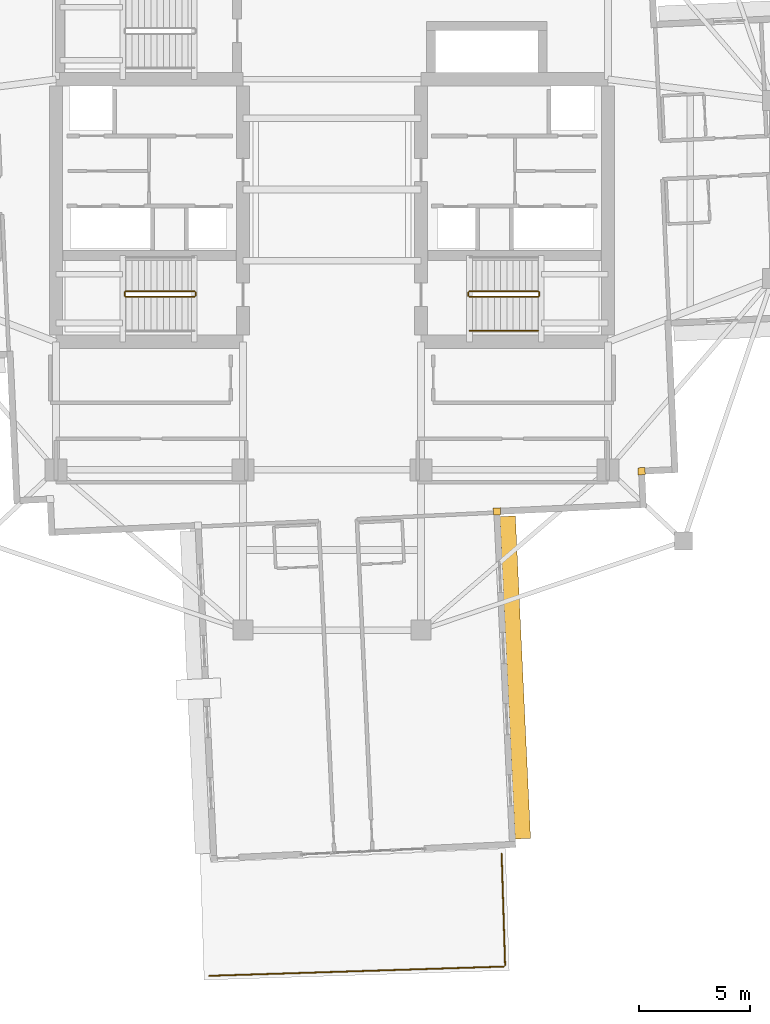
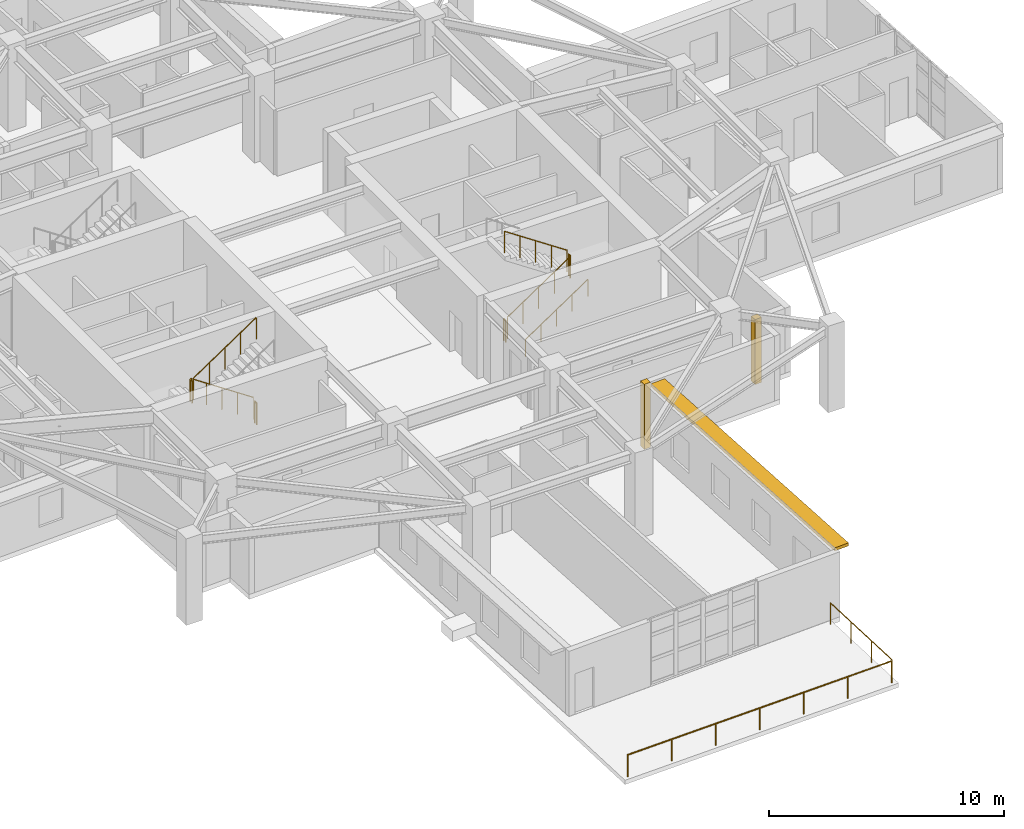
# One storey, part 19 of 22: 11 railings, 2 coverings, 1 shading device.
"""IFC4 building model written with IfcOpenShell, lengths in metres."""

from ifc_helpers import new_model, si_unit, direction, frame, origin, origin_2d, place, context, subcontext, project, spatial, rectangle, circle, extrude, material, layer, layer_set, type_object, element, save


model = new_model("IFC4")

# Units and contexts
model_context = context("Model", 3, precision=1e-05, world=origin(), true_north=direction((0.0, 1.0)))
body_context = subcontext(model_context, "Body", "Model", "MODEL_VIEW")
ifc_project = project(units=[si_unit("LENGTHUNIT", "METRE"), si_unit("AREAUNIT", "SQUARE_METRE"), si_unit("VOLUMEUNIT", "CUBIC_METRE"), si_unit("PLANEANGLEUNIT", "RADIAN"), si_unit("MASSUNIT", "GRAM", prefix="KILO")], contexts=[model_context])

# Site, building, storey
site_placement = place(None, origin())
site = spatial("IfcSite", under=ifc_project, at=site_placement, CompositionType="ELEMENT")
building_placement = place(site_placement, origin())
building = spatial("IfcBuilding", under=site, at=building_placement, Name="Qingluan Cross Belvedere", CompositionType="ELEMENT")
storey_placement = place(building_placement, frame((0.0, 0.0, 196.800048828125)))
storey = spatial("IfcBuildingStorey", under=building, at=storey_placement, Name="L49", CompositionType="ELEMENT", Elevation=196.800048828125)

# Coverings
ifc_material_1 = material(Name="Precast concrete C45", Category="concrete")
ifc_layer_1 = layer(ifc_material_1, 0.1201171875, Name="ConcreteSpandrelCladding_120")
ifc_layer_set_1 = layer_set([ifc_layer_1], Name="Precast concrete C45")
covering_type = type_object("IfcCoveringType", Name="ConcreteSpandrelCladding_120", PredefinedType="CLADDING", material=ifc_layer_set_1)
for number, where, z_axis, x_axis, name in (
    (1, (13.911865234375, -12.65869140625, 0.0), (0.0, 0.0, 1.0), (0.998889874962, 0.04710645071, 0.0), "Corner closure L49-SE1"),
    (2, (7.40966796875, -14.467041015625, 0.0), (0.0, 0.0, 1.0), (0.998889874962, 0.04710645071, 0.0), "Corner closure L49-SE2"),
):
    element("IfcCovering", number, at=place(storey_placement, frame(where, z_axis=z_axis, x_axis=x_axis)), inside=storey, type_object=covering_type, Name=name, PredefinedType="CLADDING", context=body_context, shape_type="SweptSolid", body=[
        extrude(rectangle(XDim=0.320068359375, YDim=0.320068359375, at=origin_2d()), origin(), (0.0, 0.0, 1.0), 3.3798828125),
    ])

# Shading device
ifc_material_2 = material(Name="Precast concrete C45", Category="concrete")
ifc_layer_2 = layer(ifc_material_2, 0.139892578125, Name="ConcreteSunshadeBand_700")
ifc_layer_set_2 = layer_set([ifc_layer_2], Name="Precast concrete C45")
shading_device_type = type_object("IfcShadingDeviceType", Name="ConcreteSunshadeBand_700", PredefinedType="USERDEFINED", material=ifc_layer_set_2)
shading_device_placement = place(storey_placement, frame((8.23193359375, -21.926513671875, 3.2001953125), z_axis=(0.0, 0.0, 1.0), x_axis=(-0.047109098032, 0.998889750114, 0.0)))
element("IfcShadingDevice", 3, at=shading_device_placement, inside=storey, type_object=shading_device_type, Name="Concrete SUNSHADE L49-SB", ObjectType="SUNSHADE", PredefinedType="USERDEFINED", context=body_context, shape_type="SweptSolid", body=[
    extrude(rectangle(XDim=14.5, YDim=0.699951171875, at=origin_2d()), origin(), (0.0, 0.0, 1.0), 0.159912109375),
])

# Railings
ifc_material_3 = material(Name="Brushed stainless steel tubular handrail", Category="steel")
railing_type_1 = type_object("IfcRailingType", Name="StairPitchHandrail_900", PredefinedType="HANDRAIL", material=ifc_material_3)
railing_1_placement = place(storey_placement, frame((6.179931640625, -6.35009765625, 0.1875)))
element("IfcRailing", 4, at=railing_1_placement, inside=storey, type_object=railing_type_1, Name="L49 ST2 stair handrail 1", PredefinedType="HANDRAIL", context=body_context, shape_type="SweptSolid", body=[
    extrude(circle(Radius=0.02392578125, at=origin_2d()), frame((0.0, 0.0, 0.8759765625), z_axis=(0.830913701846, 0.0, 0.55640131208), x_axis=(0.0, 1.0, 0.0)), (0.0, 0.0, 1.0), 3.706787109375),
    extrude(circle(Radius=0.02099609375, at=origin_2d()), origin(), (0.0, 0.0, 1.0), 0.851806640625),
    extrude(circle(Radius=0.02099609375, at=origin_2d()), frame((0.77001953125, 0.0, 0.515625)), (0.0, 0.0, 1.0), 0.851806640625),
    extrude(circle(Radius=0.02099609375, at=origin_2d()), frame((1.5400390625, 0.0, 1.03125)), (0.0, 0.0, 1.0), 0.851806640625),
    extrude(circle(Radius=0.02099609375, at=origin_2d()), frame((2.31005859375, 0.0, 1.546875)), (0.0, 0.0, 1.0), 0.851806640625),
    extrude(circle(Radius=0.02099609375, at=origin_2d()), frame((3.080078125, 0.0, 2.0625)), (0.0, 0.0, 1.0), 0.851806640625),
])
ifc_material_4 = material(Name="Painted steel stair well guard", Category="steel")
railing_type_2 = type_object("IfcRailingType", Name="StairWellGuard_1150", PredefinedType="BALUSTRADE", material=ifc_material_4)
railing_2_placement = place(storey_placement, frame((-6.179931640625, -4.570068359375, 0.1875)))
element("IfcRailing", 5, at=railing_2_placement, inside=storey, type_object=railing_type_2, Name="L49 ST1 stair guard 1", PredefinedType="BALUSTRADE", context=body_context, shape_type="SweptSolid", body=[
    extrude(circle(Radius=0.02392578125, at=origin_2d()), frame((0.0, 0.0, 1.1259765625), z_axis=(-0.830913701846, 0.0, 0.55640131208), x_axis=(0.0, -1.0, 0.0)), (0.0, 0.0, 1.0), 3.706787109375),
    extrude(circle(Radius=0.02099609375, at=origin_2d()), origin(), (0.0, 0.0, 1.0), 1.101806640625),
    extrude(circle(Radius=0.02099609375, at=origin_2d()), frame((-0.77001953125, 0.0, 0.515625)), (0.0, 0.0, 1.0), 1.101806640625),
    extrude(circle(Radius=0.02099609375, at=origin_2d()), frame((-1.5400390625, 0.0, 1.03125)), (0.0, 0.0, 1.0), 1.101806640625),
    extrude(circle(Radius=0.02099609375, at=origin_2d()), frame((-2.31005859375, 0.0, 1.546875)), (0.0, 0.0, 1.0), 1.101806640625),
    extrude(circle(Radius=0.02099609375, at=origin_2d()), frame((-3.080078125, 0.0, 2.0625)), (0.0, 0.0, 1.0), 1.101806640625),
])
railing_3_placement = place(storey_placement, frame((-9.31005859375, -4.6201171875, 2.25)))
element("IfcRailing", 6, at=railing_3_placement, inside=storey, type_object=railing_type_2, Name="L49 ST1 stair guard 2", PredefinedType="BALUSTRADE", context=body_context, shape_type="SweptSolid", body=[
    extrude(circle(Radius=0.02392578125, at=origin_2d()), frame((0.0, 0.0, 1.1259765625), z_axis=(0.0, -1.0, 0.0), x_axis=(1.0, 0.0, 0.0)), (0.0, 0.0, 1.0), 0.159912109375),
    extrude(circle(Radius=0.02099609375, at=origin_2d()), origin(), (0.0, 0.0, 1.0), 1.101806640625),
    extrude(circle(Radius=0.02099609375, at=origin_2d()), frame((0.0, -0.159912109375, 0.0)), (0.0, 0.0, 1.0), 1.101806640625),
])
railing_4_placement = place(storey_placement, frame((-9.260009765625, -4.830078125, 2.4375)))
element("IfcRailing", 7, at=railing_4_placement, inside=storey, type_object=railing_type_2, Name="L49 ST1 stair guard 3", PredefinedType="BALUSTRADE", context=body_context, shape_type="SweptSolid", body=[
    extrude(circle(Radius=0.02392578125, at=origin_2d()), frame((0.0, 0.0, 1.1259765625), z_axis=(0.830913701846, 0.0, 0.55640131208), x_axis=(0.0, 1.0, 0.0)), (0.0, 0.0, 1.0), 3.706787109375),
    extrude(circle(Radius=0.02099609375, at=origin_2d()), origin(), (0.0, 0.0, 1.0), 1.101806640625),
    extrude(circle(Radius=0.02099609375, at=origin_2d()), frame((0.77001953125, 0.0, 0.515625)), (0.0, 0.0, 1.0), 1.101806640625),
    extrude(circle(Radius=0.02099609375, at=origin_2d()), frame((1.5400390625, 0.0, 1.03125)), (0.0, 0.0, 1.0), 1.101806640625),
    extrude(circle(Radius=0.02099609375, at=origin_2d()), frame((2.31005859375, 0.0, 1.546875)), (0.0, 0.0, 1.0), 1.101806640625),
    extrude(circle(Radius=0.02099609375, at=origin_2d()), frame((3.080078125, 0.0, 2.0625)), (0.0, 0.0, 1.0), 1.101806640625),
])
railing_5_placement = place(storey_placement, frame((-6.1298828125, -4.6201171875, 0.0)))
element("IfcRailing", 8, at=railing_5_placement, inside=storey, type_object=railing_type_2, Name="L49 ST1 stair guard 4", PredefinedType="BALUSTRADE", context=body_context, shape_type="SweptSolid", body=[
    extrude(circle(Radius=0.02392578125, at=origin_2d()), frame((0.0, 0.0, 1.1259765625), z_axis=(0.0, -1.0, 0.0), x_axis=(1.0, 0.0, 0.0)), (0.0, 0.0, 1.0), 0.159912109375),
    extrude(circle(Radius=0.02099609375, at=origin_2d()), origin(), (0.0, 0.0, 1.0), 1.101806640625),
    extrude(circle(Radius=0.02099609375, at=origin_2d()), frame((0.0, -0.159912109375, 0.0)), (0.0, 0.0, 1.0), 1.101806640625),
])
railing_6_placement = place(storey_placement, frame((6.179931640625, -4.830078125, 0.1875)))
element("IfcRailing", 9, at=railing_6_placement, inside=storey, type_object=railing_type_2, Name="L49 ST2 stair guard 1", PredefinedType="BALUSTRADE", context=body_context, shape_type="SweptSolid", body=[
    extrude(circle(Radius=0.02392578125, at=origin_2d()), frame((0.0, 0.0, 1.1259765625), z_axis=(0.830913701846, 0.0, 0.55640131208), x_axis=(0.0, 1.0, 0.0)), (0.0, 0.0, 1.0), 3.706787109375),
    extrude(circle(Radius=0.02099609375, at=origin_2d()), origin(), (0.0, 0.0, 1.0), 1.101806640625),
    extrude(circle(Radius=0.02099609375, at=origin_2d()), frame((0.77001953125, 0.0, 0.515625)), (0.0, 0.0, 1.0), 1.101806640625),
    extrude(circle(Radius=0.02099609375, at=origin_2d()), frame((1.5400390625, 0.0, 1.03125)), (0.0, 0.0, 1.0), 1.101806640625),
    extrude(circle(Radius=0.02099609375, at=origin_2d()), frame((2.31005859375, 0.0, 1.546875)), (0.0, 0.0, 1.0), 1.101806640625),
    extrude(circle(Radius=0.02099609375, at=origin_2d()), frame((3.080078125, 0.0, 2.0625)), (0.0, 0.0, 1.0), 1.101806640625),
])
railing_7_placement = place(storey_placement, frame((9.31005859375, -4.780029296875, 2.25)))
element("IfcRailing", 10, at=railing_7_placement, inside=storey, type_object=railing_type_2, Name="L49 ST2 stair guard 2", PredefinedType="BALUSTRADE", context=body_context, shape_type="SweptSolid", body=[
    extrude(circle(Radius=0.02392578125, at=origin_2d()), frame((0.0, 0.0, 1.1259765625), z_axis=(0.0, 1.0, 0.0), x_axis=(-1.0, 0.0, 0.0)), (0.0, 0.0, 1.0), 0.159912109375),
    extrude(circle(Radius=0.02099609375, at=origin_2d()), origin(), (0.0, 0.0, 1.0), 1.101806640625),
    extrude(circle(Radius=0.02099609375, at=origin_2d()), frame((0.0, 0.159912109375, 0.0)), (0.0, 0.0, 1.0), 1.101806640625),
])
railing_8_placement = place(storey_placement, frame((9.260009765625, -4.570068359375, 2.4375)))
element("IfcRailing", 11, at=railing_8_placement, inside=storey, type_object=railing_type_2, Name="L49 ST2 stair guard 3", PredefinedType="BALUSTRADE", context=body_context, shape_type="SweptSolid", body=[
    extrude(circle(Radius=0.02392578125, at=origin_2d()), frame((0.0, 0.0, 1.1259765625), z_axis=(-0.830913701846, 0.0, 0.55640131208), x_axis=(0.0, -1.0, 0.0)), (0.0, 0.0, 1.0), 3.706787109375),
    extrude(circle(Radius=0.02099609375, at=origin_2d()), origin(), (0.0, 0.0, 1.0), 1.101806640625),
    extrude(circle(Radius=0.02099609375, at=origin_2d()), frame((-0.77001953125, 0.0, 0.515625)), (0.0, 0.0, 1.0), 1.101806640625),
    extrude(circle(Radius=0.02099609375, at=origin_2d()), frame((-1.5400390625, 0.0, 1.03125)), (0.0, 0.0, 1.0), 1.101806640625),
    extrude(circle(Radius=0.02099609375, at=origin_2d()), frame((-2.31005859375, 0.0, 1.546875)), (0.0, 0.0, 1.0), 1.101806640625),
    extrude(circle(Radius=0.02099609375, at=origin_2d()), frame((-3.080078125, 0.0, 2.0625)), (0.0, 0.0, 1.0), 1.101806640625),
])
railing_9_placement = place(storey_placement, frame((6.1298828125, -4.780029296875, 0.0)))
element("IfcRailing", 12, at=railing_9_placement, inside=storey, type_object=railing_type_2, Name="L49 ST2 stair guard 4", PredefinedType="BALUSTRADE", context=body_context, shape_type="SweptSolid", body=[
    extrude(circle(Radius=0.02392578125, at=origin_2d()), frame((0.0, 0.0, 1.1259765625), z_axis=(0.0, 1.0, 0.0), x_axis=(-1.0, 0.0, 0.0)), (0.0, 0.0, 1.0), 0.159912109375),
    extrude(circle(Radius=0.02099609375, at=origin_2d()), origin(), (0.0, 0.0, 1.0), 1.101806640625),
    extrude(circle(Radius=0.02099609375, at=origin_2d()), frame((0.0, 0.159912109375, 0.0)), (0.0, 0.0, 1.0), 1.101806640625),
])
ifc_material_5 = material(Name="Laminated glass and stainless steel balustrade", Category="steel")
railing_type_3 = type_object("IfcRailingType", Name="TerraceGuardBalustrade_1150", PredefinedType="BALUSTRADE", material=ifc_material_5)
railing_10_placement = place(storey_placement, frame((7.62158203125, -29.85400390625, 0.0)))
element("IfcRailing", 13, at=railing_10_placement, inside=storey, type_object=railing_type_3, Name="Terrace guard L49-1", PredefinedType="BALUSTRADE", context=body_context, shape_type="SweptSolid", body=[
    extrude(circle(Radius=0.02392578125, at=origin_2d()), frame((0.0, 0.0, 1.1259765625), z_axis=(0.031388677137, -0.999507254075, 0.0), x_axis=(0.999507254075, 0.031388677137, 0.0)), (0.0, 0.0, 1.0), 5.001220703125),
    extrude(circle(Radius=0.02099609375, at=origin_2d()), origin(), (0.0, 0.0, 1.0), 1.101806640625),
    extrude(circle(Radius=0.02099609375, at=origin_2d()), frame((0.05224609375, -1.666259765625, 0.0)), (0.0, 0.0, 1.0), 1.101806640625),
    extrude(circle(Radius=0.02099609375, at=origin_2d()), frame((0.104736328125, -3.33251953125, 0.0)), (0.0, 0.0, 1.0), 1.101806640625),
    extrude(circle(Radius=0.02099609375, at=origin_2d()), frame((0.156982421875, -4.998779296875, 0.0)), (0.0, 0.0, 1.0), 1.101806640625),
])
railing_11_placement = place(storey_placement, frame((7.720458984375, -34.914794921875, 0.0)))
element("IfcRailing", 14, at=railing_11_placement, inside=storey, type_object=railing_type_3, Name="Terrace guard L49-2", PredefinedType="BALUSTRADE", context=body_context, shape_type="SweptSolid", body=[
    extrude(circle(Radius=0.02392578125, at=origin_2d()), frame((0.0, 0.0, 1.1259765625), z_axis=(-0.999506808879, -0.031402850261, 0.0), x_axis=(0.031402850261, -0.999506808879, 0.0)), (0.0, 0.0, 1.0), 13.239990234375),
    extrude(circle(Radius=0.02099609375, at=origin_2d()), origin(), (0.0, 0.0, 1.0), 1.101806640625),
    extrude(circle(Radius=0.02099609375, at=origin_2d()), frame((-2.20556640625, -0.0693359375, 0.0)), (0.0, 0.0, 1.0), 1.101806640625),
    extrude(circle(Radius=0.02099609375, at=origin_2d()), frame((-4.4111328125, -0.138671875, 0.0)), (0.0, 0.0, 1.0), 1.101806640625),
    extrude(circle(Radius=0.02099609375, at=origin_2d()), frame((-6.61669921875, -0.2080078125, 0.0)), (0.0, 0.0, 1.0), 1.101806640625),
    extrude(circle(Radius=0.02099609375, at=origin_2d()), frame((-8.822265625, -0.277099609375, 0.0)), (0.0, 0.0, 1.0), 1.101806640625),
    extrude(circle(Radius=0.02099609375, at=origin_2d()), frame((-11.02783203125, -0.346435546875, 0.0)), (0.0, 0.0, 1.0), 1.101806640625),
    extrude(circle(Radius=0.02099609375, at=origin_2d()), frame((-13.2333984375, -0.415771484375, 0.0)), (0.0, 0.0, 1.0), 1.101806640625),
])

save(model, "model.ifc")
